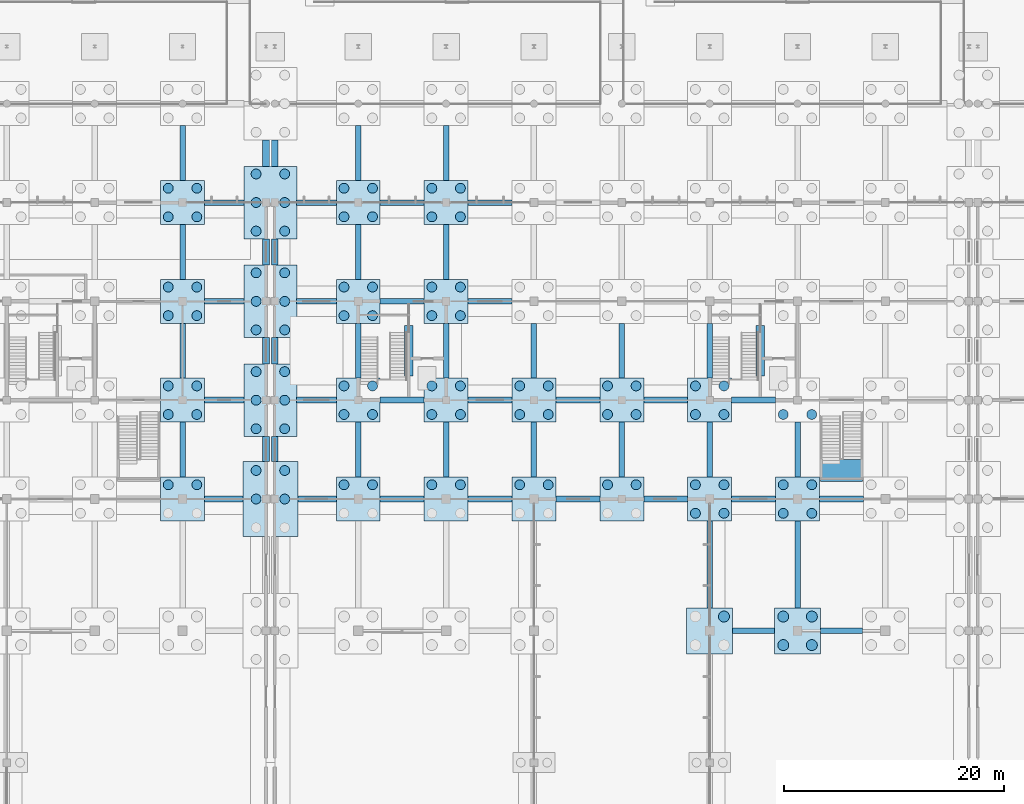
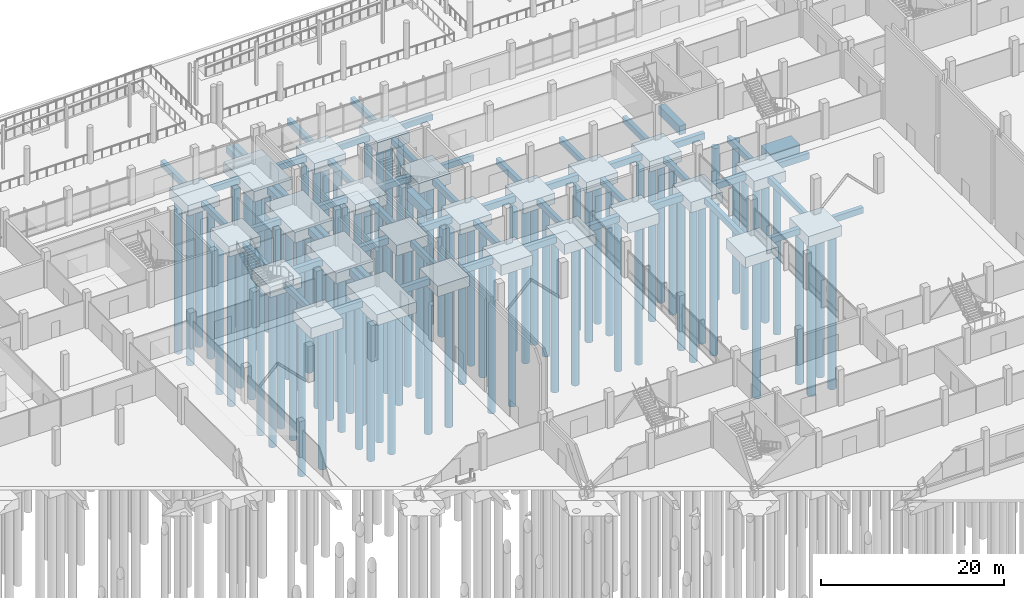
# One storey, part 6 of 72: 95 piles, 82 footings.
"""IFC4 building model written with IfcOpenShell, lengths in metres."""

from ifc_helpers import new_model, si_unit, direction, frame, origin, origin_2d, place, context, subcontext, project, spatial, rectangle, circle, extrude, material, material_profile, profile_set, type_object, element, save


model = new_model("IFC4")

# Units and contexts
model_context = context("Model", 3, precision=1e-05, world=origin(), true_north=direction((0.0, 1.0)))
body_context = subcontext(model_context, "Body", "Model", "MODEL_VIEW")
ifc_project = project(units=[si_unit("LENGTHUNIT", "METRE"), si_unit("AREAUNIT", "SQUARE_METRE"), si_unit("VOLUMEUNIT", "CUBIC_METRE"), si_unit("PLANEANGLEUNIT", "RADIAN"), si_unit("MASSUNIT", "GRAM", prefix="KILO"), si_unit("THERMODYNAMICTEMPERATUREUNIT", "KELVIN"), si_unit("POWERUNIT", "WATT")], contexts=[model_context])

# Site, building, storey
site_placement = place(None, origin())
site = spatial("IfcSite", under=ifc_project, at=site_placement, CompositionType="ELEMENT")
building_placement = place(site_placement, origin())
building = spatial("IfcBuilding", under=site, at=building_placement, Name="Kronsvod Quay Wholesale Market", CompositionType="ELEMENT")
storey_placement = place(building_placement, origin())
storey = spatial("IfcBuildingStorey", under=building, at=storey_placement, Name="L00", CompositionType="ELEMENT", Elevation=0.0)

# Footings
ifc_material_1 = material(Name="Concrete C35/45", Category="concrete")
footing_type_1 = type_object("IfcFootingType", Name="Cap_PC4A", PredefinedType="PILE_CAP", material=ifc_material_1)
for number, where, z_axis, x_axis, name in (
    (1, (56.0, 90.0, -2.64990234375), (0.0, 0.0, 1.0), (1.0, 0.0, 0.0), "CAP-112"),
    (2, (56.0, 99.0, -2.64990234375), (0.0, 0.0, 1.0), (1.0, 0.0, 0.0), "CAP-113"),
    (3, (56.0, 108.0, -2.64990234375), (0.0, 0.0, 1.0), (1.0, 0.0, 0.0), "CAP-114"),
    (4, (56.0, 117.0, -2.64990234375), (0.0, 0.0, 1.0), (1.0, 0.0, 0.0), "CAP-115"),
    (5, (72.0, 90.0, -2.64990234375), (0.0, 0.0, 1.0), (1.0, 0.0, 0.0), "CAP-122"),
    (6, (72.0, 99.0, -2.64990234375), (0.0, 0.0, 1.0), (1.0, 0.0, 0.0), "CAP-123"),
    (7, (72.0, 108.0, -2.64990234375), (0.0, 0.0, 1.0), (1.0, 0.0, 0.0), "CAP-124"),
    (8, (72.0, 117.0, -2.64990234375), (0.0, 0.0, 1.0), (1.0, 0.0, 0.0), "CAP-125"),
    (9, (80.0, 90.0, -2.64990234375), (0.0, 0.0, 1.0), (1.0, 0.0, 0.0), "CAP-132"),
    (10, (80.0, 99.0, -2.64990234375), (0.0, 0.0, 1.0), (1.0, 0.0, 0.0), "CAP-133"),
    (11, (80.0, 108.0, -2.64990234375), (0.0, 0.0, 1.0), (1.0, 0.0, 0.0), "CAP-134"),
    (12, (80.0, 117.0, -2.64990234375), (0.0, 0.0, 1.0), (1.0, 0.0, 0.0), "CAP-135"),
    (13, (88.0, 90.0, -2.64990234375), (0.0, 0.0, 1.0), (1.0, 0.0, 0.0), "CAP-143"),
    (14, (88.0, 99.0, -2.64990234375), (0.0, 0.0, 1.0), (1.0, 0.0, 0.0), "CAP-144"),
    (15, (96.0, 90.0, -2.64990234375), (0.0, 0.0, 1.0), (1.0, 0.0, 0.0), "CAP-152"),
    (16, (96.0, 99.0, -2.64990234375), (0.0, 0.0, 1.0), (1.0, 0.0, 0.0), "CAP-153"),
    (17, (104.0, 90.0, -2.64990234375), (0.0, 0.0, 1.0), (1.0, 0.0, 0.0), "CAP-163"),
    (18, (104.0, 99.0, -2.64990234375), (0.0, 0.0, 1.0), (1.0, 0.0, 0.0), "CAP-164"),
    (19, (112.0, 90.0, -2.64990234375), (0.0, 0.0, 1.0), (1.0, 0.0, 0.0), "CAP-173"),
):
    element("IfcFooting", number, at=place(storey_placement, frame(where, z_axis=z_axis, x_axis=x_axis)), inside=storey, type_object=footing_type_1, Name=name, PredefinedType="PILE_CAP", context=body_context, shape_type="SweptSolid", body=[
        extrude(rectangle(XDim=4.0, YDim=4.0, at=origin_2d()), origin(), (0.0, 0.0, 1.0), 1.39990234375),
    ])
ifc_material_2 = material(Name="Concrete C35/45", Category="concrete")
footing_type_2 = type_object("IfcFootingType", Name="Cap_PC4B", PredefinedType="PILE_CAP", material=ifc_material_2)
for number, where, z_axis, x_axis, name in (
    (20, (104.0, 78.0, -2.64990234375), (0.0, 0.0, 1.0), (1.0, 0.0, 0.0), "CAP-162"),
    (21, (112.0, 78.0, -2.64990234375), (0.0, 0.0, 1.0), (1.0, 0.0, 0.0), "CAP-172"),
):
    element("IfcFooting", number, at=place(storey_placement, frame(where, z_axis=z_axis, x_axis=x_axis)), inside=storey, type_object=footing_type_2, Name=name, PredefinedType="PILE_CAP", context=body_context, shape_type="SweptSolid", body=[
        extrude(rectangle(XDim=4.199951171875, YDim=4.199951171875, at=origin_2d()), origin(), (0.0, 0.0, 1.0), 1.39990234375),
    ])
ifc_material_3 = material(Name="Concrete C35/45", Category="concrete")
footing_type_3 = type_object("IfcFootingType", Name="Cap_PC6H", PredefinedType="PILE_CAP", material=ifc_material_3)
footing_1_placement = place(storey_placement, frame((64.0, 90.0, -2.7001953125), z_axis=(0.0, 0.0, 1.0), x_axis=(1.0, 0.0, 0.0)))
element("IfcFooting", 22, at=footing_1_placement, inside=storey, type_object=footing_type_3, Name="CAP-J011", PredefinedType="PILE_CAP", context=body_context, shape_type="SweptSolid", body=[
    extrude(rectangle(XDim=5.0, YDim=6.800048828125, at=origin_2d()), origin(), (0.0, 0.0, 1.0), 1.449951171875),
])
ifc_material_4 = material(Name="Concrete C35/45", Category="concrete")
footing_type_4 = type_object("IfcFootingType", Name="Cap_PC6J", PredefinedType="PILE_CAP", material=ifc_material_4)
for number, where, z_axis, x_axis, name in (
    (23, (64.0, 99.0, -2.64990234375), (0.0, 0.0, 1.0), (1.0, 0.0, 0.0), "CAP-J013"),
    (24, (64.0, 108.0, -2.64990234375), (0.0, 0.0, 1.0), (1.0, 0.0, 0.0), "CAP-J015"),
    (25, (64.0, 117.0, -2.64990234375), (0.0, 0.0, 1.0), (1.0, 0.0, 0.0), "CAP-J017"),
):
    element("IfcFooting", number, at=place(storey_placement, frame(where, z_axis=z_axis, x_axis=x_axis)), inside=storey, type_object=footing_type_4, Name=name, PredefinedType="PILE_CAP", context=body_context, shape_type="SweptSolid", body=[
        extrude(rectangle(XDim=4.800048828125, YDim=6.60009765625, at=origin_2d()), origin(), (0.0, 0.0, 1.0), 1.39990234375),
    ])
ifc_material_5 = material(Name="Concrete C35/45", Category="concrete")
ifc_material_profile_1 = material_profile(ifc_material_5, rectangle(XDim=0.5, YDim=0.800048828125, at=origin_2d()), Name="FB-01")
ifc_profile_set_1 = profile_set([ifc_material_profile_1], Name="Concrete C35/45")
footing_type_5 = type_object("IfcFootingType", Name="FootingBeam_500x800", PredefinedType="FOOTING_BEAM", material=ifc_profile_set_1)
for number, where, z_axis, x_axis, name in (
    (26, (58.0, 108.0, -1.64990234375), (1.0, 0.0, 0.0), (0.0, 1.0, 0.0), "FB-X-0084"),
    (27, (58.0, 117.0, -1.64990234375), (1.0, 0.0, 0.0), (0.0, 1.0, 0.0), "FB-X-0088"),
):
    element("IfcFooting", number, at=place(storey_placement, frame(where, z_axis=z_axis, x_axis=x_axis)), inside=storey, type_object=footing_type_5, Name=name, PredefinedType="FOOTING_BEAM", context=body_context, shape_type="SweptSolid", body=[
        extrude(rectangle(XDim=0.5, YDim=0.800048828125, at=origin_2d()), origin(), (0.0, 0.0, 1.0), 3.60009765625),
    ])
for number, where, z_axis, x_axis, name in (
    (28, (56.0, 92.0, -1.64990234375), (0.0, 1.0, 0.0), (-1.0, 0.0, 0.0), "FB-Y-0177"),
    (29, (56.0, 101.0, -1.64990234375), (0.0, 1.0, 0.0), (-1.0, 0.0, 0.0), "FB-Y-0178"),
    (30, (56.0, 110.0, -1.64990234375), (0.0, 1.0, 0.0), (-1.0, 0.0, 0.0), "FB-Y-0179"),
    (31, (56.0, 119.0, -1.64990234375), (0.0, 1.0, 0.0), (-1.0, 0.0, 0.0), "FB-Y-0180"),
):
    element("IfcFooting", number, at=place(storey_placement, frame(where, z_axis=z_axis, x_axis=x_axis)), inside=storey, type_object=footing_type_5, Name=name, PredefinedType="FOOTING_BEAM", context=body_context, shape_type="SweptSolid", body=[
        extrude(rectangle(XDim=0.5, YDim=0.800048828125, at=origin_2d()), origin(), (0.0, 0.0, 1.0), 5.0),
    ])
for number, where, z_axis, x_axis, name in (
    (32, (106.10009765625, 78.0, -1.64990234375), (1.0, 0.0, 0.0), (0.0, 1.0, 0.0), "FB-X-0224"),
    (33, (114.10009765625, 78.0, -1.64990234375), (1.0, 0.0, 0.0), (0.0, 1.0, 0.0), "FB-X-0225"),
):
    element("IfcFooting", number, at=place(storey_placement, frame(where, z_axis=z_axis, x_axis=x_axis)), inside=storey, type_object=footing_type_5, Name=name, PredefinedType="FOOTING_BEAM", context=body_context, shape_type="SweptSolid", body=[
        extrude(rectangle(XDim=0.5, YDim=0.800048828125, at=origin_2d()), origin(), (0.0, 0.0, 1.0), 3.7998046875),
    ])
footing_2_placement = place(storey_placement, frame((66.39990234375, 108.0, -1.64990234375), z_axis=(1.0, 0.0, 0.0), x_axis=(0.0, 1.0, 0.0)))
element("IfcFooting", 34, at=footing_2_placement, inside=storey, type_object=footing_type_5, Name="FB-X-0243", PredefinedType="FOOTING_BEAM", context=body_context, shape_type="SweptSolid", body=[
    extrude(rectangle(XDim=0.5, YDim=0.800048828125, at=origin_2d()), origin(), (0.0, 0.0, 1.0), 3.60009765625),
])
for number, where, z_axis, x_axis, name in (
    (35, (74.0, 108.0, -1.64990234375), (1.0, 0.0, 0.0), (0.0, 1.0, 0.0), "FB-X-0244"),
    (36, (82.0, 108.0, -1.64990234375), (1.0, 0.0, 0.0), (0.0, 1.0, 0.0), "FB-X-0245"),
):
    element("IfcFooting", number, at=place(storey_placement, frame(where, z_axis=z_axis, x_axis=x_axis)), inside=storey, type_object=footing_type_5, Name=name, PredefinedType="FOOTING_BEAM", context=body_context, shape_type="SweptSolid", body=[
        extrude(rectangle(XDim=0.5, YDim=0.800048828125, at=origin_2d()), origin(), (0.0, 0.0, 1.0), 4.0),
    ])
footing_3_placement = place(storey_placement, frame((66.39990234375, 117.0, -1.64990234375), z_axis=(1.0, 0.0, 0.0), x_axis=(0.0, 1.0, 0.0)))
element("IfcFooting", 37, at=footing_3_placement, inside=storey, type_object=footing_type_5, Name="FB-X-0251", PredefinedType="FOOTING_BEAM", context=body_context, shape_type="SweptSolid", body=[
    extrude(rectangle(XDim=0.5, YDim=0.800048828125, at=origin_2d()), origin(), (0.0, 0.0, 1.0), 3.60009765625),
])
for number, where, z_axis, x_axis, name in (
    (38, (74.0, 117.0, -1.64990234375), (1.0, 0.0, 0.0), (0.0, 1.0, 0.0), "FB-X-0252"),
    (39, (82.0, 117.0, -1.64990234375), (1.0, 0.0, 0.0), (0.0, 1.0, 0.0), "FB-X-0253"),
):
    element("IfcFooting", number, at=place(storey_placement, frame(where, z_axis=z_axis, x_axis=x_axis)), inside=storey, type_object=footing_type_5, Name=name, PredefinedType="FOOTING_BEAM", context=body_context, shape_type="SweptSolid", body=[
        extrude(rectangle(XDim=0.5, YDim=0.800048828125, at=origin_2d()), origin(), (0.0, 0.0, 1.0), 4.0),
    ])
for number, where, z_axis, x_axis, name in (
    (40, (72.0, 92.0, -1.64990234375), (0.0, 1.0, 0.0), (-1.0, 0.0, 0.0), "FB-Y-0279"),
    (41, (72.0, 101.0, -1.64990234375), (0.0, 1.0, 0.0), (-1.0, 0.0, 0.0), "FB-Y-0280"),
    (42, (72.0, 110.0, -1.64990234375), (0.0, 1.0, 0.0), (-1.0, 0.0, 0.0), "FB-Y-0281"),
    (43, (72.0, 119.0, -1.64990234375), (0.0, 1.0, 0.0), (-1.0, 0.0, 0.0), "FB-Y-0282"),
    (44, (80.0, 92.0, -1.64990234375), (0.0, 1.0, 0.0), (-1.0, 0.0, 0.0), "FB-Y-0287"),
    (45, (80.0, 101.0, -1.64990234375), (0.0, 1.0, 0.0), (-1.0, 0.0, 0.0), "FB-Y-0288"),
    (46, (80.0, 110.0, -1.64990234375), (0.0, 1.0, 0.0), (-1.0, 0.0, 0.0), "FB-Y-0289"),
    (47, (80.0, 119.0, -1.64990234375), (0.0, 1.0, 0.0), (-1.0, 0.0, 0.0), "FB-Y-0290"),
    (48, (88.0, 92.0, -1.64990234375), (0.0, 1.0, 0.0), (-1.0, 0.0, 0.0), "FB-Y-0297"),
    (49, (88.0, 101.0, -1.64990234375), (0.0, 1.0, 0.0), (-1.0, 0.0, 0.0), "FB-Y-0298"),
    (50, (96.0, 92.0, -1.64990234375), (0.0, 1.0, 0.0), (-1.0, 0.0, 0.0), "FB-Y-0304"),
    (51, (96.0, 101.0, -1.64990234375), (0.0, 1.0, 0.0), (-1.0, 0.0, 0.0), "FB-Y-0305"),
):
    element("IfcFooting", number, at=place(storey_placement, frame(where, z_axis=z_axis, x_axis=x_axis)), inside=storey, type_object=footing_type_5, Name=name, PredefinedType="FOOTING_BEAM", context=body_context, shape_type="SweptSolid", body=[
        extrude(rectangle(XDim=0.5, YDim=0.800048828125, at=origin_2d()), origin(), (0.0, 0.0, 1.0), 5.0),
    ])
footing_4_placement = place(storey_placement, frame((104.0, 80.10009765625, -1.64990234375), z_axis=(0.0, 1.0, 0.0), x_axis=(-1.0, 0.0, 0.0)))
element("IfcFooting", 52, at=footing_4_placement, inside=storey, type_object=footing_type_5, Name="FB-Y-0313", PredefinedType="FOOTING_BEAM", context=body_context, shape_type="SweptSolid", body=[
    extrude(rectangle(XDim=0.5, YDim=0.800048828125, at=origin_2d()), origin(), (0.0, 0.0, 1.0), 7.89990234375),
])
for number, where, z_axis, x_axis, name in (
    (53, (104.0, 92.0, -1.64990234375), (0.0, 1.0, 0.0), (-1.0, 0.0, 0.0), "FB-Y-0314"),
    (54, (104.0, 101.0, -1.64990234375), (0.0, 1.0, 0.0), (-1.0, 0.0, 0.0), "FB-Y-0315"),
):
    element("IfcFooting", number, at=place(storey_placement, frame(where, z_axis=z_axis, x_axis=x_axis)), inside=storey, type_object=footing_type_5, Name=name, PredefinedType="FOOTING_BEAM", context=body_context, shape_type="SweptSolid", body=[
        extrude(rectangle(XDim=0.5, YDim=0.800048828125, at=origin_2d()), origin(), (0.0, 0.0, 1.0), 5.0),
    ])
footing_5_placement = place(storey_placement, frame((112.0, 80.10009765625, -1.64990234375), z_axis=(0.0, 1.0, 0.0), x_axis=(-1.0, 0.0, 0.0)))
element("IfcFooting", 55, at=footing_5_placement, inside=storey, type_object=footing_type_5, Name="FB-Y-0321", PredefinedType="FOOTING_BEAM", context=body_context, shape_type="SweptSolid", body=[
    extrude(rectangle(XDim=0.5, YDim=0.800048828125, at=origin_2d()), origin(), (0.0, 0.0, 1.0), 7.89990234375),
])
footing_6_placement = place(storey_placement, frame((112.0, 92.0, -1.64990234375), z_axis=(0.0, 1.0, 0.0), x_axis=(-1.0, 0.0, 0.0)))
element("IfcFooting", 56, at=footing_6_placement, inside=storey, type_object=footing_type_5, Name="FB-Y-0322", PredefinedType="FOOTING_BEAM", context=body_context, shape_type="SweptSolid", body=[
    extrude(rectangle(XDim=0.5, YDim=0.800048828125, at=origin_2d()), origin(), (0.0, 0.0, 1.0), 5.0),
])
ifc_material_6 = material(Name="Concrete C35/45", Category="concrete")
ifc_material_profile_2 = material_profile(ifc_material_6, rectangle(XDim=0.550048828125, YDim=0.85009765625, at=origin_2d()), Name="FB-03")
ifc_profile_set_2 = profile_set([ifc_material_profile_2], Name="Concrete C35/45")
footing_type_6 = type_object("IfcFootingType", Name="FootingBeam_550x850", PredefinedType="FOOTING_BEAM", material=ifc_profile_set_2)
footing_7_placement = place(storey_placement, frame((58.0, 90.0, -1.675048828125), z_axis=(1.0, 0.0, 0.0), x_axis=(0.0, 1.0, 0.0)))
element("IfcFooting", 57, at=footing_7_placement, inside=storey, type_object=footing_type_6, Name="FB-X-0068", PredefinedType="FOOTING_BEAM", context=body_context, shape_type="SweptSolid", body=[
    extrude(rectangle(XDim=0.550048828125, YDim=0.85009765625, at=origin_2d()), origin(), (0.0, 0.0, 1.0), 3.5),
])
footing_8_placement = place(storey_placement, frame((58.0, 99.0, -1.675048828125), z_axis=(1.0, 0.0, 0.0), x_axis=(0.0, 1.0, 0.0)))
element("IfcFooting", 58, at=footing_8_placement, inside=storey, type_object=footing_type_6, Name="FB-X-0076", PredefinedType="FOOTING_BEAM", context=body_context, shape_type="SweptSolid", body=[
    extrude(rectangle(XDim=0.550048828125, YDim=0.85009765625, at=origin_2d()), origin(), (0.0, 0.0, 1.0), 3.60009765625),
])
footing_9_placement = place(storey_placement, frame((66.5, 90.0, -1.675048828125), z_axis=(1.0, 0.0, 0.0), x_axis=(0.0, 1.0, 0.0)))
element("IfcFooting", 59, at=footing_9_placement, inside=storey, type_object=footing_type_6, Name="FB-X-0227", PredefinedType="FOOTING_BEAM", context=body_context, shape_type="SweptSolid", body=[
    extrude(rectangle(XDim=0.550048828125, YDim=0.85009765625, at=origin_2d()), origin(), (0.0, 0.0, 1.0), 3.5),
])
for number, where, z_axis, x_axis, name in (
    (60, (74.0, 90.0, -1.675048828125), (1.0, 0.0, 0.0), (0.0, 1.0, 0.0), "FB-X-0228"),
    (61, (82.0, 90.0, -1.675048828125), (1.0, 0.0, 0.0), (0.0, 1.0, 0.0), "FB-X-0229"),
    (62, (90.0, 90.0, -1.675048828125), (1.0, 0.0, 0.0), (0.0, 1.0, 0.0), "FB-X-0230"),
    (63, (98.0, 90.0, -1.675048828125), (1.0, 0.0, 0.0), (0.0, 1.0, 0.0), "FB-X-0231"),
    (64, (106.0, 90.0, -1.675048828125), (1.0, 0.0, 0.0), (0.0, 1.0, 0.0), "FB-X-0232"),
    (65, (114.0, 90.0, -1.675048828125), (1.0, 0.0, 0.0), (0.0, 1.0, 0.0), "FB-X-0233"),
):
    element("IfcFooting", number, at=place(storey_placement, frame(where, z_axis=z_axis, x_axis=x_axis)), inside=storey, type_object=footing_type_6, Name=name, PredefinedType="FOOTING_BEAM", context=body_context, shape_type="SweptSolid", body=[
        extrude(rectangle(XDim=0.550048828125, YDim=0.85009765625, at=origin_2d()), origin(), (0.0, 0.0, 1.0), 4.0),
    ])
footing_10_placement = place(storey_placement, frame((66.39990234375, 99.0, -1.675048828125), z_axis=(1.0, 0.0, 0.0), x_axis=(0.0, 1.0, 0.0)))
element("IfcFooting", 66, at=footing_10_placement, inside=storey, type_object=footing_type_6, Name="FB-X-0235", PredefinedType="FOOTING_BEAM", context=body_context, shape_type="SweptSolid", body=[
    extrude(rectangle(XDim=0.550048828125, YDim=0.85009765625, at=origin_2d()), origin(), (0.0, 0.0, 1.0), 3.60009765625),
])
for number, where, z_axis, x_axis, name in (
    (67, (74.0, 99.0, -1.675048828125), (1.0, 0.0, 0.0), (0.0, 1.0, 0.0), "FB-X-0236"),
    (68, (82.0, 99.0, -1.675048828125), (1.0, 0.0, 0.0), (0.0, 1.0, 0.0), "FB-X-0237"),
    (69, (90.0, 99.0, -1.675048828125), (1.0, 0.0, 0.0), (0.0, 1.0, 0.0), "FB-X-0238"),
    (70, (98.0, 99.0, -1.675048828125), (1.0, 0.0, 0.0), (0.0, 1.0, 0.0), "FB-X-0239"),
    (71, (106.0, 99.0, -1.675048828125), (1.0, 0.0, 0.0), (0.0, 1.0, 0.0), "FB-X-0240"),
):
    element("IfcFooting", number, at=place(storey_placement, frame(where, z_axis=z_axis, x_axis=x_axis)), inside=storey, type_object=footing_type_6, Name=name, PredefinedType="FOOTING_BEAM", context=body_context, shape_type="SweptSolid", body=[
        extrude(rectangle(XDim=0.550048828125, YDim=0.85009765625, at=origin_2d()), origin(), (0.0, 0.0, 1.0), 4.0),
    ])
ifc_material_7 = material(Name="Concrete C35/45", Category="concrete")
ifc_material_profile_3 = material_profile(ifc_material_7, rectangle(XDim=0.60009765625, YDim=0.89990234375, at=origin_2d()), Name="FB-02")
ifc_profile_set_3 = profile_set([ifc_material_profile_3], Name="Concrete C35/45")
footing_type_7 = type_object("IfcFootingType", Name="FootingBeam_600x900", PredefinedType="FOOTING_BEAM", material=ifc_profile_set_3)
footing_11_placement = place(storey_placement, frame((63.60009765625, 93.39990234375, -1.699951171875), z_axis=(0.0, 1.0, 0.0), x_axis=(-1.0, 0.0, 0.0)))
element("IfcFooting", 72, at=footing_11_placement, inside=storey, type_object=footing_type_7, Name="FB-Y-0185", PredefinedType="FOOTING_BEAM", context=body_context, shape_type="SweptSolid", body=[
    extrude(rectangle(XDim=0.60009765625, YDim=0.89990234375, at=origin_2d()), origin(), (0.0, 0.0, 1.0), 2.300048828125),
])
for number, where, z_axis, x_axis, name in (
    (73, (63.60009765625, 102.300048828125, -1.699951171875), (0.0, 1.0, 0.0), (-1.0, 0.0, 0.0), "FB-Y-0186"),
    (74, (63.60009765625, 111.300048828125, -1.699951171875), (0.0, 1.0, 0.0), (-1.0, 0.0, 0.0), "FB-Y-0187"),
    (75, (63.60009765625, 120.300048828125, -1.699951171875), (0.0, 1.0, 0.0), (-1.0, 0.0, 0.0), "FB-Y-0188"),
):
    element("IfcFooting", number, at=place(storey_placement, frame(where, z_axis=z_axis, x_axis=x_axis)), inside=storey, type_object=footing_type_7, Name=name, PredefinedType="FOOTING_BEAM", context=body_context, shape_type="SweptSolid", body=[
        extrude(rectangle(XDim=0.60009765625, YDim=0.89990234375, at=origin_2d()), origin(), (0.0, 0.0, 1.0), 2.39990234375),
    ])
footing_12_placement = place(storey_placement, frame((64.39990234375, 93.39990234375, -1.699951171875), z_axis=(0.0, 1.0, 0.0), x_axis=(-1.0, 0.0, 0.0)))
element("IfcFooting", 76, at=footing_12_placement, inside=storey, type_object=footing_type_7, Name="FB-Y-0271", PredefinedType="FOOTING_BEAM", context=body_context, shape_type="SweptSolid", body=[
    extrude(rectangle(XDim=0.60009765625, YDim=0.89990234375, at=origin_2d()), origin(), (0.0, 0.0, 1.0), 2.300048828125),
])
for number, where, z_axis, x_axis, name in (
    (77, (64.39990234375, 102.300048828125, -1.699951171875), (0.0, 1.0, 0.0), (-1.0, 0.0, 0.0), "FB-Y-0272"),
    (78, (64.39990234375, 111.300048828125, -1.699951171875), (0.0, 1.0, 0.0), (-1.0, 0.0, 0.0), "FB-Y-0273"),
    (79, (64.39990234375, 120.300048828125, -1.699951171875), (0.0, 1.0, 0.0), (-1.0, 0.0, 0.0), "FB-Y-0274"),
):
    element("IfcFooting", number, at=place(storey_placement, frame(where, z_axis=z_axis, x_axis=x_axis)), inside=storey, type_object=footing_type_7, Name=name, PredefinedType="FOOTING_BEAM", context=body_context, shape_type="SweptSolid", body=[
        extrude(rectangle(XDim=0.60009765625, YDim=0.89990234375, at=origin_2d()), origin(), (0.0, 0.0, 1.0), 2.39990234375),
    ])
ifc_material_8 = material(Name="Concrete C35/45", Category="concrete")
footing_type_8 = type_object("IfcFootingType", Name="Pad_PF2", PredefinedType="PAD_FOOTING", material=ifc_material_8)
footing_13_placement = place(storey_placement, frame((116.0, 92.60009765625, -2.7001953125), z_axis=(0.0, 0.0, 1.0), x_axis=(1.0, 0.0, 0.0)))
element("IfcFooting", 80, at=footing_13_placement, inside=storey, type_object=footing_type_8, Name="ST-CON-E-FND", PredefinedType="PAD_FOOTING", context=body_context, shape_type="SweptSolid", body=[
    extrude(rectangle(XDim=3.800048828125, YDim=2.0, at=origin_2d()), origin(), (0.0, 0.0, 1.0), 1.449951171875),
])

# Piles
ifc_material_9 = material(Name="Concrete C35/45", Category="concrete")
ifc_material_profile_4 = material_profile(ifc_material_9, circle(Radius=0.5, at=origin_2d()), Name="PILE1000")
ifc_profile_set_4 = profile_set([ifc_material_profile_4], Name="Concrete C35/45")
pile_type_1 = type_object("IfcPileType", Name="Pile_PILE1000", PredefinedType="BORED", material=ifc_profile_set_4)
for number, where, z_axis, x_axis, name in (
    (81, (105.300048828125, 79.300048828125, -2.64990234375), (0.0, 0.0, -1.0), (1.0, 0.0, 0.0), "PILE-0640"),
    (82, (110.699951171875, 76.699951171875, -2.64990234375), (0.0, 0.0, -1.0), (1.0, 0.0, 0.0), "PILE-0675"),
    (83, (110.699951171875, 79.300048828125, -2.64990234375), (0.0, 0.0, -1.0), (1.0, 0.0, 0.0), "PILE-0676"),
    (84, (113.300048828125, 76.699951171875, -2.64990234375), (0.0, 0.0, -1.0), (1.0, 0.0, 0.0), "PILE-0677"),
    (85, (113.300048828125, 79.300048828125, -2.64990234375), (0.0, 0.0, -1.0), (1.0, 0.0, 0.0), "PILE-0678"),
):
    element("IfcPile", number, at=place(storey_placement, frame(where, z_axis=z_axis, x_axis=x_axis)), inside=storey, type_object=pile_type_1, Name=name, PredefinedType="BORED", context=body_context, shape_type="SweptSolid", body=[
        extrude(circle(Radius=0.5, at=origin_2d()), origin(), (0.0, 0.0, 1.0), 20.39990234375),
    ])
ifc_material_10 = material(Name="Concrete C35/45", Category="concrete")
ifc_material_profile_5 = material_profile(ifc_material_10, circle(Radius=0.449951171875, at=origin_2d()), Name="PILE900")
ifc_profile_set_5 = profile_set([ifc_material_profile_5], Name="Concrete C35/45")
pile_type_2 = type_object("IfcPileType", Name="Pile_PILE900", PredefinedType="BORED", material=ifc_profile_set_5)
for number, where, z_axis, x_axis, name in (
    (86, (62.699951171875, 90.0, -2.64990234375), (0.0, 0.0, -1.0), (1.0, 0.0, 0.0), "PILE-0062"),
    (87, (62.699951171875, 92.60009765625, -2.64990234375), (0.0, 0.0, -1.0), (1.0, 0.0, 0.0), "PILE-0063"),
    (88, (65.300048828125, 90.0, -2.64990234375), (0.0, 0.0, -1.0), (1.0, 0.0, 0.0), "PILE-0065"),
    (89, (65.300048828125, 92.60009765625, -2.64990234375), (0.0, 0.0, -1.0), (1.0, 0.0, 0.0), "PILE-0066"),
    (90, (62.699951171875, 96.39990234375, -2.64990234375), (0.0, 0.0, -1.0), (1.0, 0.0, 0.0), "PILE-0073"),
    (91, (62.699951171875, 99.0, -2.64990234375), (0.0, 0.0, -1.0), (1.0, 0.0, 0.0), "PILE-0074"),
    (92, (62.699951171875, 101.60009765625, -2.64990234375), (0.0, 0.0, -1.0), (1.0, 0.0, 0.0), "PILE-0075"),
    (93, (65.300048828125, 96.39990234375, -2.64990234375), (0.0, 0.0, -1.0), (1.0, 0.0, 0.0), "PILE-0076"),
    (94, (65.300048828125, 99.0, -2.64990234375), (0.0, 0.0, -1.0), (1.0, 0.0, 0.0), "PILE-0077"),
    (95, (65.300048828125, 101.60009765625, -2.64990234375), (0.0, 0.0, -1.0), (1.0, 0.0, 0.0), "PILE-0078"),
    (96, (62.699951171875, 105.39990234375, -2.64990234375), (0.0, 0.0, -1.0), (1.0, 0.0, 0.0), "PILE-0085"),
    (97, (62.699951171875, 108.0, -2.64990234375), (0.0, 0.0, -1.0), (1.0, 0.0, 0.0), "PILE-0086"),
    (98, (62.699951171875, 110.60009765625, -2.64990234375), (0.0, 0.0, -1.0), (1.0, 0.0, 0.0), "PILE-0087"),
    (99, (65.300048828125, 105.39990234375, -2.64990234375), (0.0, 0.0, -1.0), (1.0, 0.0, 0.0), "PILE-0088"),
    (100, (65.300048828125, 108.0, -2.64990234375), (0.0, 0.0, -1.0), (1.0, 0.0, 0.0), "PILE-0089"),
    (101, (65.300048828125, 110.60009765625, -2.64990234375), (0.0, 0.0, -1.0), (1.0, 0.0, 0.0), "PILE-0090"),
    (102, (62.699951171875, 114.39990234375, -2.64990234375), (0.0, 0.0, -1.0), (1.0, 0.0, 0.0), "PILE-0097"),
    (103, (62.699951171875, 117.0, -2.64990234375), (0.0, 0.0, -1.0), (1.0, 0.0, 0.0), "PILE-0098"),
    (104, (62.699951171875, 119.60009765625, -2.64990234375), (0.0, 0.0, -1.0), (1.0, 0.0, 0.0), "PILE-0099"),
    (105, (65.300048828125, 114.39990234375, -2.64990234375), (0.0, 0.0, -1.0), (1.0, 0.0, 0.0), "PILE-0100"),
    (106, (65.300048828125, 117.0, -2.64990234375), (0.0, 0.0, -1.0), (1.0, 0.0, 0.0), "PILE-0101"),
    (107, (65.300048828125, 119.60009765625, -2.64990234375), (0.0, 0.0, -1.0), (1.0, 0.0, 0.0), "PILE-0102"),
    (108, (54.699951171875, 91.300048828125, -2.64990234375), (0.0, 0.0, -1.0), (1.0, 0.0, 0.0), "PILE-0452"),
    (109, (57.300048828125, 91.300048828125, -2.64990234375), (0.0, 0.0, -1.0), (1.0, 0.0, 0.0), "PILE-0454"),
    (110, (54.699951171875, 97.699951171875, -2.64990234375), (0.0, 0.0, -1.0), (1.0, 0.0, 0.0), "PILE-0455"),
    (111, (54.699951171875, 100.300048828125, -2.64990234375), (0.0, 0.0, -1.0), (1.0, 0.0, 0.0), "PILE-0456"),
    (112, (57.300048828125, 97.699951171875, -2.64990234375), (0.0, 0.0, -1.0), (1.0, 0.0, 0.0), "PILE-0457"),
    (113, (57.300048828125, 100.300048828125, -2.64990234375), (0.0, 0.0, -1.0), (1.0, 0.0, 0.0), "PILE-0458"),
    (114, (54.699951171875, 106.699951171875, -2.64990234375), (0.0, 0.0, -1.0), (1.0, 0.0, 0.0), "PILE-0459"),
    (115, (54.699951171875, 109.300048828125, -2.64990234375), (0.0, 0.0, -1.0), (1.0, 0.0, 0.0), "PILE-0460"),
    (116, (57.300048828125, 106.699951171875, -2.64990234375), (0.0, 0.0, -1.0), (1.0, 0.0, 0.0), "PILE-0461"),
    (117, (57.300048828125, 109.300048828125, -2.64990234375), (0.0, 0.0, -1.0), (1.0, 0.0, 0.0), "PILE-0462"),
    (118, (54.699951171875, 115.699951171875, -2.64990234375), (0.0, 0.0, -1.0), (1.0, 0.0, 0.0), "PILE-0463"),
    (119, (54.699951171875, 118.300048828125, -2.64990234375), (0.0, 0.0, -1.0), (1.0, 0.0, 0.0), "PILE-0464"),
    (120, (57.300048828125, 115.699951171875, -2.64990234375), (0.0, 0.0, -1.0), (1.0, 0.0, 0.0), "PILE-0465"),
    (121, (57.300048828125, 118.300048828125, -2.64990234375), (0.0, 0.0, -1.0), (1.0, 0.0, 0.0), "PILE-0466"),
    (122, (70.699951171875, 91.300048828125, -2.64990234375), (0.0, 0.0, -1.0), (1.0, 0.0, 0.0), "PILE-0490"),
    (123, (73.300048828125, 91.300048828125, -2.64990234375), (0.0, 0.0, -1.0), (1.0, 0.0, 0.0), "PILE-0492"),
    (124, (70.699951171875, 97.699951171875, -2.64990234375), (0.0, 0.0, -1.0), (1.0, 0.0, 0.0), "PILE-0493"),
    (125, (70.699951171875, 100.300048828125, -2.64990234375), (0.0, 0.0, -1.0), (1.0, 0.0, 0.0), "PILE-0494"),
    (126, (73.300048828125, 97.699951171875, -2.64990234375), (0.0, 0.0, -1.0), (1.0, 0.0, 0.0), "PILE-0495"),
    (127, (73.300048828125, 100.300048828125, -2.64990234375), (0.0, 0.0, -1.0), (1.0, 0.0, 0.0), "PILE-0496"),
    (128, (70.699951171875, 106.699951171875, -2.64990234375), (0.0, 0.0, -1.0), (1.0, 0.0, 0.0), "PILE-0497"),
    (129, (70.699951171875, 109.300048828125, -2.64990234375), (0.0, 0.0, -1.0), (1.0, 0.0, 0.0), "PILE-0498"),
    (130, (73.300048828125, 106.699951171875, -2.64990234375), (0.0, 0.0, -1.0), (1.0, 0.0, 0.0), "PILE-0499"),
    (131, (73.300048828125, 109.300048828125, -2.64990234375), (0.0, 0.0, -1.0), (1.0, 0.0, 0.0), "PILE-0500"),
    (132, (70.699951171875, 115.699951171875, -2.64990234375), (0.0, 0.0, -1.0), (1.0, 0.0, 0.0), "PILE-0501"),
    (133, (70.699951171875, 118.300048828125, -2.64990234375), (0.0, 0.0, -1.0), (1.0, 0.0, 0.0), "PILE-0502"),
    (134, (73.300048828125, 115.699951171875, -2.64990234375), (0.0, 0.0, -1.0), (1.0, 0.0, 0.0), "PILE-0503"),
    (135, (73.300048828125, 118.300048828125, -2.64990234375), (0.0, 0.0, -1.0), (1.0, 0.0, 0.0), "PILE-0504"),
    (136, (78.699951171875, 91.300048828125, -2.64990234375), (0.0, 0.0, -1.0), (1.0, 0.0, 0.0), "PILE-0528"),
    (137, (81.300048828125, 91.300048828125, -2.64990234375), (0.0, 0.0, -1.0), (1.0, 0.0, 0.0), "PILE-0530"),
    (138, (78.699951171875, 97.699951171875, -2.64990234375), (0.0, 0.0, -1.0), (1.0, 0.0, 0.0), "PILE-0531"),
    (139, (78.699951171875, 100.300048828125, -2.64990234375), (0.0, 0.0, -1.0), (1.0, 0.0, 0.0), "PILE-0532"),
    (140, (81.300048828125, 97.699951171875, -2.64990234375), (0.0, 0.0, -1.0), (1.0, 0.0, 0.0), "PILE-0533"),
    (141, (81.300048828125, 100.300048828125, -2.64990234375), (0.0, 0.0, -1.0), (1.0, 0.0, 0.0), "PILE-0534"),
    (142, (78.699951171875, 106.699951171875, -2.64990234375), (0.0, 0.0, -1.0), (1.0, 0.0, 0.0), "PILE-0535"),
    (143, (78.699951171875, 109.300048828125, -2.64990234375), (0.0, 0.0, -1.0), (1.0, 0.0, 0.0), "PILE-0536"),
    (144, (81.300048828125, 106.699951171875, -2.64990234375), (0.0, 0.0, -1.0), (1.0, 0.0, 0.0), "PILE-0537"),
    (145, (81.300048828125, 109.300048828125, -2.64990234375), (0.0, 0.0, -1.0), (1.0, 0.0, 0.0), "PILE-0538"),
    (146, (78.699951171875, 115.699951171875, -2.64990234375), (0.0, 0.0, -1.0), (1.0, 0.0, 0.0), "PILE-0539"),
    (147, (78.699951171875, 118.300048828125, -2.64990234375), (0.0, 0.0, -1.0), (1.0, 0.0, 0.0), "PILE-0540"),
    (148, (81.300048828125, 115.699951171875, -2.64990234375), (0.0, 0.0, -1.0), (1.0, 0.0, 0.0), "PILE-0541"),
    (149, (81.300048828125, 118.300048828125, -2.64990234375), (0.0, 0.0, -1.0), (1.0, 0.0, 0.0), "PILE-0542"),
    (150, (86.699951171875, 91.300048828125, -2.64990234375), (0.0, 0.0, -1.0), (1.0, 0.0, 0.0), "PILE-0568"),
    (151, (89.300048828125, 91.300048828125, -2.64990234375), (0.0, 0.0, -1.0), (1.0, 0.0, 0.0), "PILE-0570"),
    (152, (86.699951171875, 97.699951171875, -2.64990234375), (0.0, 0.0, -1.0), (1.0, 0.0, 0.0), "PILE-0571"),
    (153, (86.699951171875, 100.300048828125, -2.64990234375), (0.0, 0.0, -1.0), (1.0, 0.0, 0.0), "PILE-0572"),
    (154, (89.300048828125, 97.699951171875, -2.64990234375), (0.0, 0.0, -1.0), (1.0, 0.0, 0.0), "PILE-0573"),
    (155, (89.300048828125, 100.300048828125, -2.64990234375), (0.0, 0.0, -1.0), (1.0, 0.0, 0.0), "PILE-0574"),
    (156, (94.699951171875, 91.300048828125, -2.64990234375), (0.0, 0.0, -1.0), (1.0, 0.0, 0.0), "PILE-0602"),
    (157, (97.300048828125, 91.300048828125, -2.64990234375), (0.0, 0.0, -1.0), (1.0, 0.0, 0.0), "PILE-0604"),
    (158, (94.699951171875, 97.699951171875, -2.64990234375), (0.0, 0.0, -1.0), (1.0, 0.0, 0.0), "PILE-0605"),
    (159, (94.699951171875, 100.300048828125, -2.64990234375), (0.0, 0.0, -1.0), (1.0, 0.0, 0.0), "PILE-0606"),
    (160, (97.300048828125, 97.699951171875, -2.64990234375), (0.0, 0.0, -1.0), (1.0, 0.0, 0.0), "PILE-0607"),
    (161, (97.300048828125, 100.300048828125, -2.64990234375), (0.0, 0.0, -1.0), (1.0, 0.0, 0.0), "PILE-0608"),
    (162, (102.699951171875, 88.699951171875, -2.64990234375), (0.0, 0.0, -1.0), (1.0, 0.0, 0.0), "PILE-0641"),
    (163, (102.699951171875, 91.300048828125, -2.64990234375), (0.0, 0.0, -1.0), (1.0, 0.0, 0.0), "PILE-0642"),
    (164, (105.300048828125, 88.699951171875, -2.64990234375), (0.0, 0.0, -1.0), (1.0, 0.0, 0.0), "PILE-0643"),
    (165, (105.300048828125, 91.300048828125, -2.64990234375), (0.0, 0.0, -1.0), (1.0, 0.0, 0.0), "PILE-0644"),
    (166, (102.699951171875, 97.699951171875, -2.64990234375), (0.0, 0.0, -1.0), (1.0, 0.0, 0.0), "PILE-0645"),
    (167, (102.699951171875, 100.300048828125, -2.64990234375), (0.0, 0.0, -1.0), (1.0, 0.0, 0.0), "PILE-0646"),
    (168, (105.300048828125, 97.699951171875, -2.64990234375), (0.0, 0.0, -1.0), (1.0, 0.0, 0.0), "PILE-0647"),
    (169, (105.300048828125, 100.300048828125, -2.64990234375), (0.0, 0.0, -1.0), (1.0, 0.0, 0.0), "PILE-0648"),
    (170, (110.699951171875, 88.699951171875, -2.64990234375), (0.0, 0.0, -1.0), (1.0, 0.0, 0.0), "PILE-0679"),
    (171, (110.699951171875, 91.300048828125, -2.64990234375), (0.0, 0.0, -1.0), (1.0, 0.0, 0.0), "PILE-0680"),
    (172, (113.300048828125, 88.699951171875, -2.64990234375), (0.0, 0.0, -1.0), (1.0, 0.0, 0.0), "PILE-0681"),
    (173, (113.300048828125, 91.300048828125, -2.64990234375), (0.0, 0.0, -1.0), (1.0, 0.0, 0.0), "PILE-0682"),
    (174, (110.699951171875, 97.699951171875, -2.64990234375), (0.0, 0.0, -1.0), (1.0, 0.0, 0.0), "PILE-0683"),
    (175, (113.300048828125, 97.699951171875, -2.64990234375), (0.0, 0.0, -1.0), (1.0, 0.0, 0.0), "PILE-0685"),
):
    element("IfcPile", number, at=place(storey_placement, frame(where, z_axis=z_axis, x_axis=x_axis)), inside=storey, type_object=pile_type_2, Name=name, PredefinedType="BORED", context=body_context, shape_type="SweptSolid", body=[
        extrude(circle(Radius=0.449951171875, at=origin_2d()), origin(), (0.0, 0.0, 1.0), 20.39990234375),
    ])

# Footings
ifc_material_11 = material(Name="Concrete C35/45", Category="concrete")
ifc_material_profile_6 = material_profile(ifc_material_11, rectangle(XDim=0.800048828125, YDim=1.199951171875, at=origin_2d()), Name="SF-01")
ifc_profile_set_6 = profile_set([ifc_material_profile_6], Name="Concrete C35/45")
footing_type_9 = type_object("IfcFootingType", Name="StripFooting_800x1200", PredefinedType="STRIP_FOOTING", material=ifc_profile_set_6)
for number, where, z_axis, x_axis, name in (
    (176, (76.60009765625, 101.199951171875, -1.85009765625), (0.0, 1.0, 0.0), (-1.0, 0.0, 0.0), "SF-C08-DIV"),
    (177, (108.60009765625, 101.199951171875, -1.85009765625), (0.0, 1.0, 0.0), (-1.0, 0.0, 0.0), "SF-C09-DIV"),
):
    element("IfcFooting", number, at=place(storey_placement, frame(where, z_axis=z_axis, x_axis=x_axis)), inside=storey, type_object=footing_type_9, Name=name, PredefinedType="STRIP_FOOTING", context=body_context, shape_type="SweptSolid", body=[
        extrude(rectangle(XDim=0.800048828125, YDim=1.199951171875, at=origin_2d()), origin(), (0.0, 0.0, 1.0), 4.60009765625),
    ])

save(model, "model.ifc")
